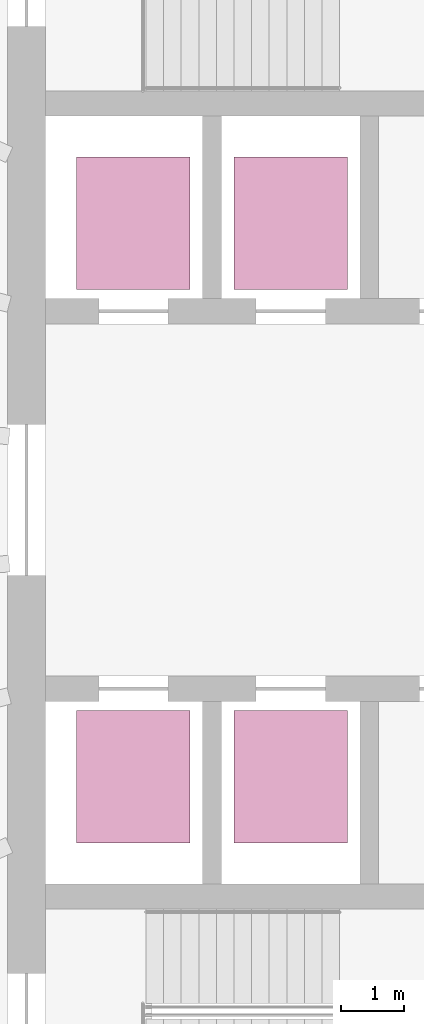
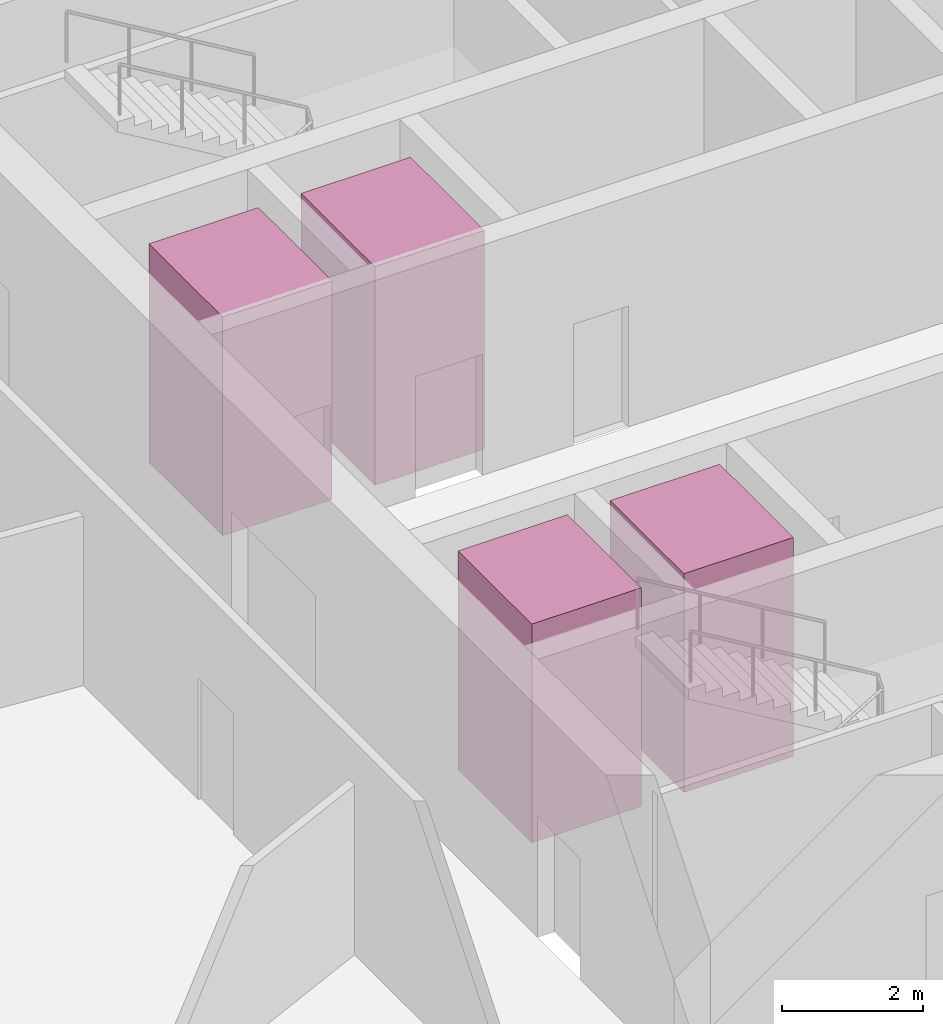
# One storey, part 10 of 10: 4 transport elements.
"""IFC4 building model written with IfcOpenShell, lengths in metres."""

from ifc_helpers import new_model, si_unit, direction, frame, origin, origin_2d, place, context, subcontext, project, spatial, rectangle, extrude, material, type_object, element, save


model = new_model("IFC4")

# Units and contexts
model_context = context("Model", 3, precision=1e-05, world=origin(), true_north=direction((0.0, 1.0)))
body_context = subcontext(model_context, "Body", "Model", "MODEL_VIEW")
ifc_project = project(units=[si_unit("LENGTHUNIT", "METRE"), si_unit("AREAUNIT", "SQUARE_METRE"), si_unit("VOLUMEUNIT", "CUBIC_METRE"), si_unit("PLANEANGLEUNIT", "RADIAN"), si_unit("MASSUNIT", "GRAM", prefix="KILO")], contexts=[model_context])

# Site, building, storey
site_placement = place(None, origin())
site = spatial("IfcSite", under=ifc_project, at=site_placement, CompositionType="ELEMENT")
building_placement = place(site_placement, origin())
building = spatial("IfcBuilding", under=site, at=building_placement, Name="Halqa Exchange Tower", CompositionType="ELEMENT")
storey_placement = place(building_placement, frame((0.0, 0.0, 288.300048828125)))
storey = spatial("IfcBuildingStorey", under=building, at=storey_placement, Name="L67", CompositionType="ELEMENT", Elevation=288.300048828125)

# Transport elements
ifc_material = material(Name="Stainless steel", Category="steel")
transport_element_type = type_object("IfcTransportElementType", Name="High-rise passenger lift 1800 x 2100", PredefinedType="ELEVATOR", material=ifc_material)
for number, where, z_axis, x_axis, name in (
    (1, (-10.0, 4.39990234375, 0.0), (0.0, 0.0, 1.0), (1.0, 0.0, 0.0), "High-rise passenger lift HR1"),
    (2, (-7.5, 4.39990234375, 0.0), (0.0, 0.0, 1.0), (1.0, 0.0, 0.0), "High-rise passenger lift HR2"),
    (3, (-10.0, -4.39990234375, 0.0), (0.0, 0.0, 1.0), (1.0, 0.0, 0.0), "High-rise passenger lift HR3"),
    (4, (-7.5, -4.39990234375, 0.0), (0.0, 0.0, 1.0), (1.0, 0.0, 0.0), "High-rise passenger lift HR4"),
):
    element("IfcTransportElement", number, at=place(storey_placement, frame(where, z_axis=z_axis, x_axis=x_axis)), inside=storey, type_object=transport_element_type, Name=name, PredefinedType="ELEVATOR", context=body_context, shape_type="SweptSolid", body=[
        extrude(rectangle(XDim=1.800048828125, YDim=2.10009765625, at=origin_2d()), origin(), (0.0, 0.0, 1.0), 3.800048828125),
    ])

save(model, "model.ifc")
